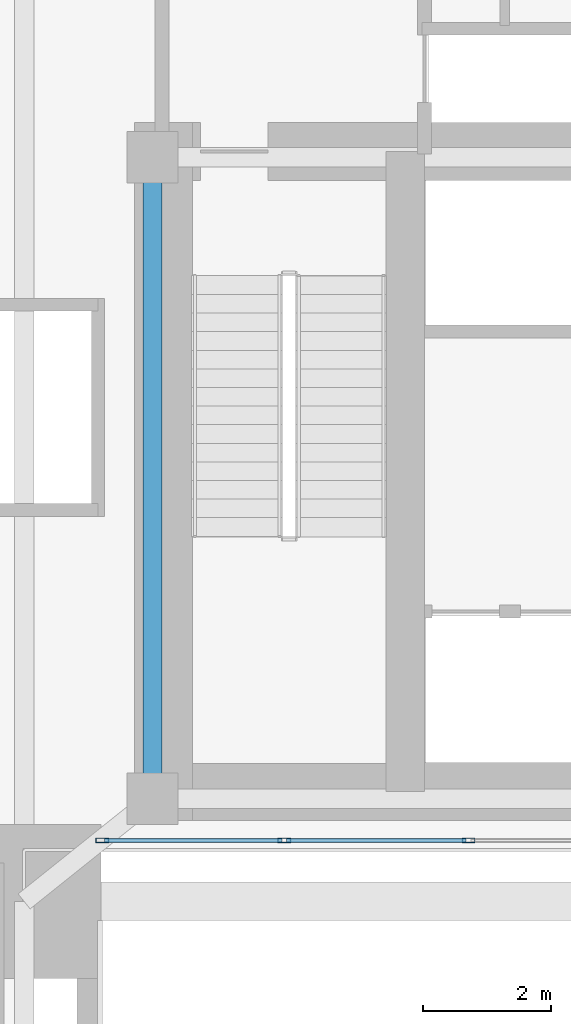
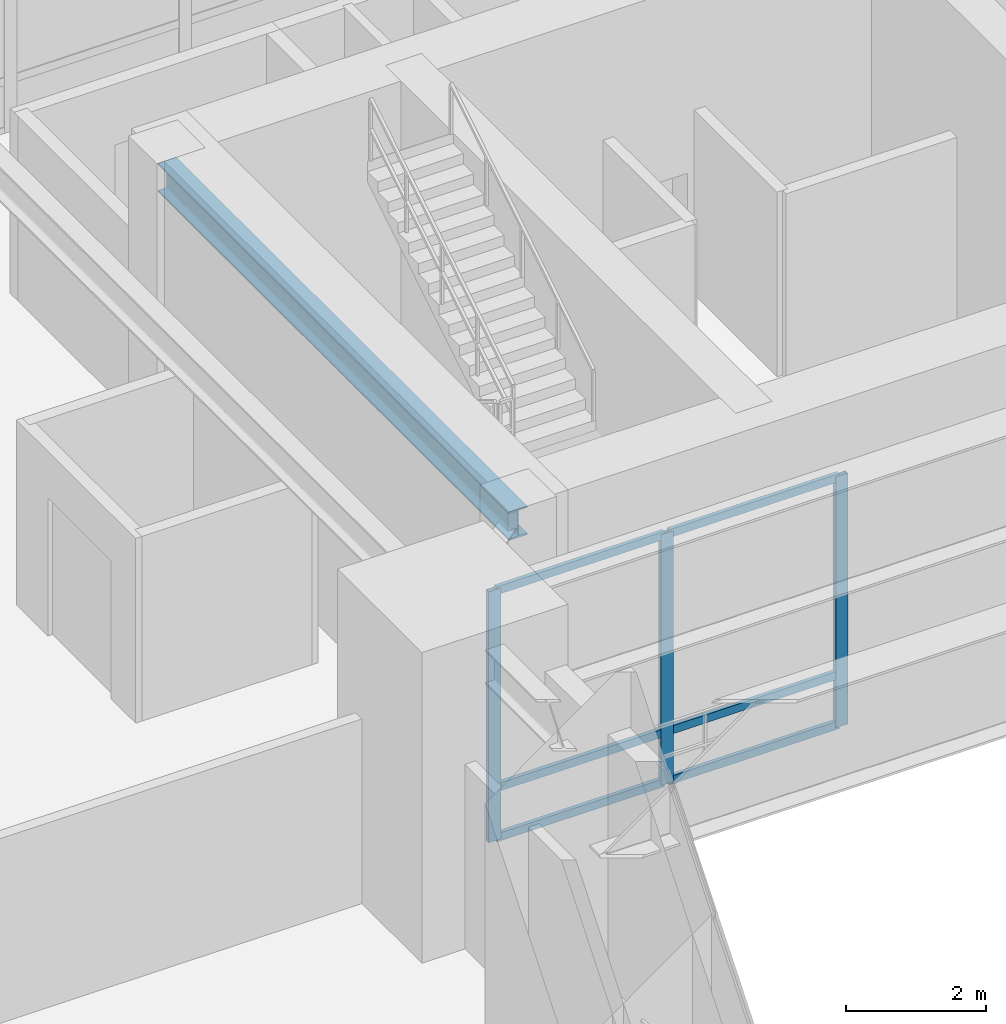
# One storey, part 3 of 18: 9 members, 1 beam, 1 element without a shape of its own.
"""IFC4 building model written with IfcOpenShell, lengths in metres."""

from ifc_helpers import new_model, si_unit, direction, frame, origin, origin_2d, place, context, subcontext, project, spatial, hollow_rectangle, i_section, extrude, material, layer, layer_set, material_profile, profile_set, type_object, element, aggregate, save


model = new_model("IFC4")

# Units and contexts
model_context = context("Model", 3, precision=1e-05, world=origin(), true_north=direction((0.0, 1.0)))
body_context = subcontext(model_context, "Body", "Model", "MODEL_VIEW")
ifc_project = project(units=[si_unit("LENGTHUNIT", "METRE"), si_unit("AREAUNIT", "SQUARE_METRE"), si_unit("VOLUMEUNIT", "CUBIC_METRE"), si_unit("PLANEANGLEUNIT", "RADIAN"), si_unit("MASSUNIT", "GRAM", prefix="KILO"), si_unit("THERMODYNAMICTEMPERATUREUNIT", "KELVIN"), si_unit("POWERUNIT", "WATT")], contexts=[model_context])

# Site, building, storey
site_placement = place(None, origin())
site = spatial("IfcSite", under=ifc_project, at=site_placement, CompositionType="ELEMENT")
building_placement = place(site_placement, origin())
building = spatial("IfcBuilding", under=site, at=building_placement, Name="Ocrelia Relay Tower", CompositionType="ELEMENT")
storey_placement = place(building_placement, frame((0.0, 0.0, 10.199951171875)))
storey = spatial("IfcBuildingStorey", under=building, at=storey_placement, Name="L02", CompositionType="ELEMENT", Elevation=10.199951171875)

# Beam
ifc_material_1 = material(Name="Steel S355", Category="steel")
ifc_material_profile_1 = material_profile(ifc_material_1, i_section(OverallWidth=0.300048828125, OverallDepth=0.5, WebThickness=0.014404296875, FlangeThickness=0.028076171875, FilletRadius=0.027099609375, at=origin_2d()), Name="HEB 500")
ifc_profile_set_1 = profile_set([ifc_material_profile_1], Name="Steel S355")
beam_type = type_object("IfcBeamType", Name="BM-HEB500", PredefinedType="BEAM", material=ifc_profile_set_1)
beam_placement = place(storey_placement, frame((26.199951171875, 20.0, 4.830078125), z_axis=(0.0, 1.0, 0.0), x_axis=(-1.0, 0.0, 0.0)))
element("IfcBeam", 1, at=beam_placement, inside=storey, type_object=beam_type, Name="L02 Core Pilaster Tie Beam W", PredefinedType="BEAM", context=body_context, shape_type="SweptSolid", body=[
    extrude(i_section(OverallWidth=0.300048828125, OverallDepth=0.5, WebThickness=0.014404296875, FlangeThickness=0.028076171875, FilletRadius=0.027099609375, at=origin_2d()), origin(), (0.0, 0.0, 1.0), 10.0),
])

# Curtain wall, members
ifc_material_2 = material(Name="Aluminium and solar-control low-E glass", Category="aluminium")
ifc_layer = layer(ifc_material_2, 0.179931640625, Name="Aluminium and solar-control low-E glass")
ifc_layer_set = layer_set([ifc_layer], Name="Aluminium and solar-control low-E glass")
curtain_wall_type = type_object("IfcCurtainWallType", Name="CW-SYS-POD-ARCH", PredefinedType="NOTDEFINED", material=ifc_layer_set)
curtain_wall_placement = place(storey_placement, origin())
curtain_wall = element("IfcCurtainWall", 2, at=curtain_wall_placement, inside=storey, type_object=curtain_wall_type, Name="L02 South Portal Atrium Glazed Screen West", PredefinedType="NOTDEFINED")
ifc_material_3 = material(Name="Anodised bronze aluminium", Category="aluminium")
ifc_material_profile_2 = material_profile(ifc_material_3, hollow_rectangle(XDim=0.074951171875, YDim=0.199951171875, WallThickness=0.006103515625, at=origin_2d()), Name="CW-MUL-200x75")
ifc_profile_set_2 = profile_set([ifc_material_profile_2], Name="Anodised bronze aluminium")
member_type_1 = type_object("IfcMemberType", Name="CW-SYS-POD-ARCH-MUL", PredefinedType="MULLION", material=ifc_profile_set_2)
member_1_placement = place(storey_placement, frame((25.41748046875, 19.35009765625, 0.0), z_axis=(0.0, 0.0, 1.0), x_axis=(0.0, 1.0, 0.0)))
member_1 = element("IfcMember", 3, at=member_1_placement, type_object=member_type_1, Name="CW-PA mullion 1", PredefinedType="MULLION", context=body_context, shape_type="SweptSolid", body=[
    extrude(hollow_rectangle(XDim=0.074951171875, YDim=0.199951171875, WallThickness=0.006103515625, at=origin_2d()), origin(), (0.0, 0.0, 1.0), 4.360107421875),
])
member_2_placement = place(storey_placement, frame((28.25341796875, 19.35009765625, 0.0), z_axis=(0.0, 0.0, 1.0), x_axis=(0.0, 1.0, 0.0)))
member_2 = element("IfcMember", 4, at=member_2_placement, type_object=member_type_1, Name="CW-PA mullion 2", PredefinedType="MULLION", context=body_context, shape_type="SweptSolid", body=[
    extrude(hollow_rectangle(XDim=0.074951171875, YDim=0.199951171875, WallThickness=0.006103515625, at=origin_2d()), origin(), (0.0, 0.0, 1.0), 4.360107421875),
])
member_3_placement = place(storey_placement, frame((31.126708984375, 19.35009765625, 0.0), z_axis=(0.0, 0.0, 1.0), x_axis=(0.0, 1.0, 0.0)))
member_3 = element("IfcMember", 5, at=member_3_placement, type_object=member_type_1, Name="CW-PA mullion 3", PredefinedType="MULLION", context=body_context, shape_type="SweptSolid", body=[
    extrude(hollow_rectangle(XDim=0.074951171875, YDim=0.199951171875, WallThickness=0.006103515625, at=origin_2d()), origin(), (0.0, 0.0, 1.0), 4.360107421875),
])
ifc_material_profile_3 = material_profile(ifc_material_3, hollow_rectangle(XDim=0.06494140625, YDim=0.139892578125, WallThickness=0.0048828125, at=origin_2d()), Name="CW-TRN-140x65")
ifc_profile_set_3 = profile_set([ifc_material_profile_3], Name="Anodised bronze aluminium")
member_type_2 = type_object("IfcMemberType", Name="CW-SYS-POD-ARCH-TRN", PredefinedType="USERDEFINED", material=ifc_profile_set_3)
member_4_placement = place(storey_placement, frame((25.455078125, 19.35009765625, 0.032470703125), z_axis=(1.0, 0.0, 0.0), x_axis=(0.0, 1.0, 0.0)))
member_4 = element("IfcMember", 6, at=member_4_placement, type_object=member_type_2, Name="CW-PA transom 1.1", ObjectType="TRANSOM", PredefinedType="USERDEFINED", context=body_context, shape_type="SweptSolid", body=[
    extrude(hollow_rectangle(XDim=0.06494140625, YDim=0.139892578125, WallThickness=0.0048828125, at=origin_2d()), origin(), (0.0, 0.0, 1.0), 2.7607421875),
])
member_5_placement = place(storey_placement, frame((25.455078125, 19.35009765625, 0.900146484375), z_axis=(1.0, 0.0, 0.0), x_axis=(0.0, 1.0, 0.0)))
member_5 = element("IfcMember", 7, at=member_5_placement, type_object=member_type_2, Name="CW-PA transom 1.2", ObjectType="TRANSOM", PredefinedType="USERDEFINED", context=body_context, shape_type="SweptSolid", body=[
    extrude(hollow_rectangle(XDim=0.06494140625, YDim=0.139892578125, WallThickness=0.0048828125, at=origin_2d()), origin(), (0.0, 0.0, 1.0), 2.7607421875),
])
member_6_placement = place(storey_placement, frame((25.455078125, 19.35009765625, 4.32763671875), z_axis=(1.0, 0.0, 0.0), x_axis=(0.0, 1.0, 0.0)))
member_6 = element("IfcMember", 8, at=member_6_placement, type_object=member_type_2, Name="CW-PA transom 1.3", ObjectType="TRANSOM", PredefinedType="USERDEFINED", context=body_context, shape_type="SweptSolid", body=[
    extrude(hollow_rectangle(XDim=0.06494140625, YDim=0.139892578125, WallThickness=0.0048828125, at=origin_2d()), origin(), (0.0, 0.0, 1.0), 2.7607421875),
])
member_7_placement = place(storey_placement, frame((28.290771484375, 19.35009765625, 0.032470703125), z_axis=(1.0, 0.0, 0.0), x_axis=(0.0, 1.0, 0.0)))
member_7 = element("IfcMember", 9, at=member_7_placement, type_object=member_type_2, Name="CW-PA transom 2.1", ObjectType="TRANSOM", PredefinedType="USERDEFINED", context=body_context, shape_type="SweptSolid", body=[
    extrude(hollow_rectangle(XDim=0.06494140625, YDim=0.139892578125, WallThickness=0.0048828125, at=origin_2d()), origin(), (0.0, 0.0, 1.0), 2.79833984375),
])
member_8_placement = place(storey_placement, frame((28.290771484375, 19.35009765625, 0.900146484375), z_axis=(1.0, 0.0, 0.0), x_axis=(0.0, 1.0, 0.0)))
member_8 = element("IfcMember", 10, at=member_8_placement, type_object=member_type_2, Name="CW-PA transom 2.2", ObjectType="TRANSOM", PredefinedType="USERDEFINED", context=body_context, shape_type="SweptSolid", body=[
    extrude(hollow_rectangle(XDim=0.06494140625, YDim=0.139892578125, WallThickness=0.0048828125, at=origin_2d()), origin(), (0.0, 0.0, 1.0), 2.79833984375),
])
member_9_placement = place(storey_placement, frame((28.290771484375, 19.35009765625, 4.32763671875), z_axis=(1.0, 0.0, 0.0), x_axis=(0.0, 1.0, 0.0)))
member_9 = element("IfcMember", 11, at=member_9_placement, type_object=member_type_2, Name="CW-PA transom 2.3", ObjectType="TRANSOM", PredefinedType="USERDEFINED", context=body_context, shape_type="SweptSolid", body=[
    extrude(hollow_rectangle(XDim=0.06494140625, YDim=0.139892578125, WallThickness=0.0048828125, at=origin_2d()), origin(), (0.0, 0.0, 1.0), 2.79833984375),
])
aggregate(curtain_wall, [member_1, member_2, member_3, member_4, member_5, member_6, member_7, member_8, member_9])

save(model, "model.ifc")
